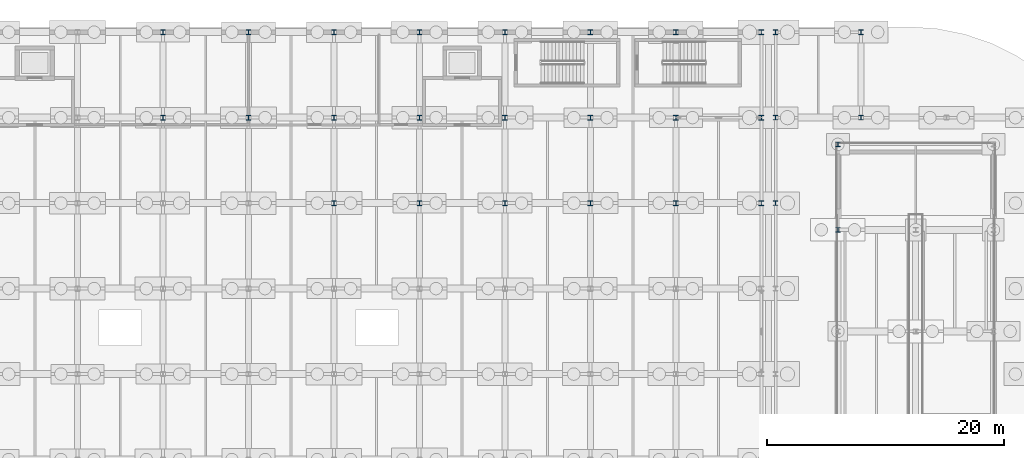
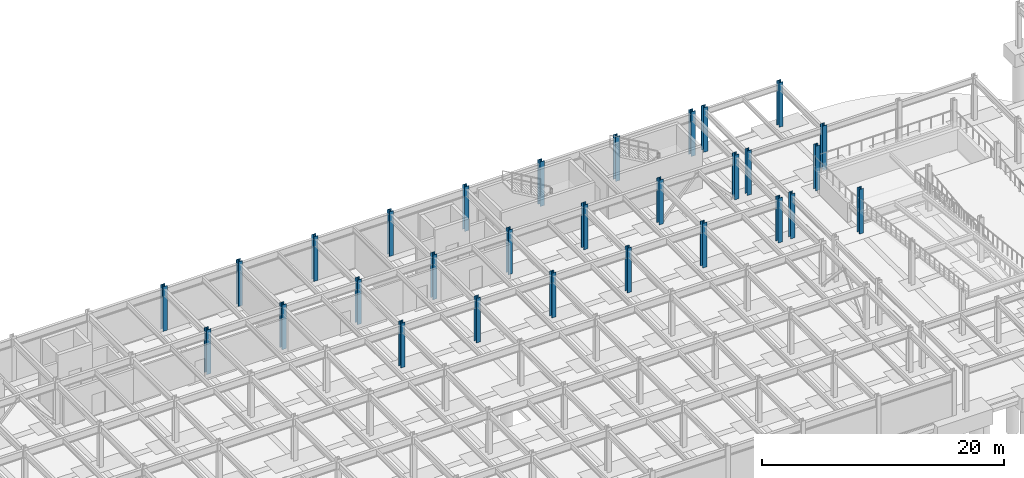
# One storey, part 22 of 54: 29 columns.
"""IFC4 building model written with IfcOpenShell, lengths in metres."""

from ifc_helpers import new_model, si_unit, direction, frame, origin, origin_2d, place, context, subcontext, project, spatial, i_section, extrude, material, material_profile, profile_set, type_object, element, save


model = new_model("IFC4")

# Units and contexts
model_context = context("Model", 3, precision=1e-05, world=origin(), true_north=direction((0.0, 1.0)))
body_context = subcontext(model_context, "Body", "Model", "MODEL_VIEW")
ifc_project = project(units=[si_unit("LENGTHUNIT", "METRE"), si_unit("AREAUNIT", "SQUARE_METRE"), si_unit("VOLUMEUNIT", "CUBIC_METRE"), si_unit("PLANEANGLEUNIT", "RADIAN"), si_unit("MASSUNIT", "GRAM", prefix="KILO")], contexts=[model_context])

# Site, building, storey
site_placement = place(None, origin())
site = spatial("IfcSite", under=ifc_project, at=site_placement, CompositionType="ELEMENT")
building_placement = place(site_placement, origin())
building = spatial("IfcBuilding", under=site, at=building_placement, Name="Vaelcorin Mobility Hub", CompositionType="ELEMENT")
storey_placement = place(building_placement, frame((0.0, 0.0, -4.5)))
storey = spatial("IfcBuildingStorey", under=building, at=storey_placement, Name="B1", CompositionType="ELEMENT", Elevation=-4.5)

# Columns
ifc_material = material(Name="Steel ASTM A992 Grade 50", Category="steel")
ifc_material_profile_1 = material_profile(ifc_material, i_section(OverallWidth=0.39599609375, OverallDepth=0.381103515625, WebThickness=0.018798828125, FlangeThickness=0.0302734375, FilletRadius=0.014892578125, at=origin_2d()), Name="W14X159")
ifc_profile_set_1 = profile_set([ifc_material_profile_1], Name="Steel ASTM A992 Grade 50")
column_type_1 = type_object("IfcColumnType", Name="COL-W14X159", PredefinedType="COLUMN", material=ifc_profile_set_1)
for number, where, z_axis, x_axis, name in (
    (1, (128.85009765625, 103.35009765625, 0.0), (0.0, 0.0, 1.0), (1.0, 0.0, 0.0), "Column V2E-RDRM-WN B1"),
    (2, (128.85009765625, 110.550048828125, 0.0), (0.0, 0.0, 1.0), (1.0, 0.0, 0.0), "Column V2E-RDRM-WB B1"),
):
    element("IfcColumn", number, at=place(storey_placement, frame(where, z_axis=z_axis, x_axis=x_axis)), inside=storey, type_object=column_type_1, Name=name, PredefinedType="COLUMN", context=body_context, shape_type="SweptSolid", body=[
        extrude(i_section(OverallWidth=0.39599609375, OverallDepth=0.381103515625, WebThickness=0.018798828125, FlangeThickness=0.0302734375, FilletRadius=0.014892578125, at=origin_2d()), origin(), (0.0, 0.0, 1.0), 4.5),
    ])
ifc_material_profile_2 = material_profile(ifc_material, i_section(OverallWidth=0.39892578125, OverallDepth=0.39404296875, WebThickness=0.022705078125, FlangeThickness=0.03662109375, FilletRadius=0.014892578125, at=origin_2d()), Name="W14X193")
ifc_profile_set_2 = profile_set([ifc_material_profile_2], Name="Steel ASTM A992 Grade 50")
column_type_2 = type_object("IfcColumnType", Name="COL-W14X193", PredefinedType="COLUMN", material=ifc_profile_set_2)
for number, where, z_axis, x_axis, name in (
    (3, (123.60009765625, 105.60009765625, 0.0), (0.0, 0.0, 1.0), (1.0, 0.0, 0.0), "Column V2E-G1x5 B1"),
    (4, (123.60009765625, 112.800048828125, 0.0), (0.0, 0.0, 1.0), (1.0, 0.0, 0.0), "Column V2E-G1x6 B1"),
    (5, (123.60009765625, 120.0, 0.0), (0.0, 0.0, 1.0), (1.0, 0.0, 0.0), "Column V2E-G1x7 B1"),
    (6, (130.800048828125, 112.800048828125, 0.0), (0.0, 0.0, 1.0), (1.0, 0.0, 0.0), "Column V2E-G2x6 B1"),
    (7, (130.800048828125, 120.0, 0.0), (0.0, 0.0, 1.0), (1.0, 0.0, 0.0), "Column V2E-G2x7 B1"),
):
    element("IfcColumn", number, at=place(storey_placement, frame(where, z_axis=z_axis, x_axis=x_axis)), inside=storey, type_object=column_type_2, Name=name, PredefinedType="COLUMN", context=body_context, shape_type="SweptSolid", body=[
        extrude(i_section(OverallWidth=0.39892578125, OverallDepth=0.39404296875, WebThickness=0.022705078125, FlangeThickness=0.03662109375, FilletRadius=0.014892578125, at=origin_2d()), origin(), (0.0, 0.0, 1.0), 4.5),
    ])
ifc_material_profile_3 = material_profile(ifc_material, i_section(OverallWidth=0.404052734375, OverallDepth=0.406005859375, WebThickness=0.027099609375, FlangeThickness=0.043701171875, FilletRadius=0.014892578125, at=origin_2d()), Name="W14X233")
ifc_profile_set_3 = profile_set([ifc_material_profile_3], Name="Steel ASTM A992 Grade 50")
column_type_3 = type_object("IfcColumnType", Name="COL-W14X233", PredefinedType="COLUMN", material=ifc_profile_set_3)
for number, where, z_axis, x_axis, name in (
    (8, (72.0, 120.0, 0.0), (0.0, 0.0, 1.0), (1.0, 0.0, 0.0), "Column V4-X06Y07 B1"),
    (9, (79.199951171875, 120.0, 0.0), (0.0, 0.0, 1.0), (1.0, 0.0, 0.0), "Column V4-X07Y07 B1"),
    (10, (86.39990234375, 105.60009765625, 0.0), (0.0, 0.0, 1.0), (1.0, 0.0, 0.0), "Column V4-X08Y05 B1"),
    (11, (86.39990234375, 120.0, 0.0), (0.0, 0.0, 1.0), (1.0, 0.0, 0.0), "Column V4-X08Y07 B1"),
    (12, (93.60009765625, 105.60009765625, 0.0), (0.0, 0.0, 1.0), (1.0, 0.0, 0.0), "Column V4-X09Y05 B1"),
    (13, (93.60009765625, 120.0, 0.0), (0.0, 0.0, 1.0), (1.0, 0.0, 0.0), "Column V4-X09Y07 B1"),
    (14, (100.800048828125, 105.60009765625, 0.0), (0.0, 0.0, 1.0), (1.0, 0.0, 0.0), "Column V4-X10Y05 B1"),
    (15, (100.800048828125, 120.0, 0.0), (0.0, 0.0, 1.0), (1.0, 0.0, 0.0), "Column V4-X10Y07 B1"),
    (16, (108.0, 105.60009765625, 0.0), (0.0, 0.0, 1.0), (1.0, 0.0, 0.0), "Column V4-X11Y05 B1"),
    (17, (108.0, 120.0, 0.0), (0.0, 0.0, 1.0), (1.0, 0.0, 0.0), "Column V4-X11Y07 B1"),
    (18, (115.199951171875, 105.60009765625, 0.0), (0.0, 0.0, 1.0), (1.0, 0.0, 0.0), "Column V4-X12Y05 B1"),
    (19, (115.199951171875, 120.0, 0.0), (0.0, 0.0, 1.0), (1.0, 0.0, 0.0), "Column V4-X12Y07 B1"),
    (20, (122.39990234375, 105.60009765625, 0.0), (0.0, 0.0, 1.0), (1.0, 0.0, 0.0), "Column V4-X13Y05 B1"),
    (21, (122.39990234375, 120.0, 0.0), (0.0, 0.0, 1.0), (1.0, 0.0, 0.0), "Column V4-X13Y07 B1"),
):
    element("IfcColumn", number, at=place(storey_placement, frame(where, z_axis=z_axis, x_axis=x_axis)), inside=storey, type_object=column_type_3, Name=name, PredefinedType="COLUMN", context=body_context, shape_type="SweptSolid", body=[
        extrude(i_section(OverallWidth=0.404052734375, OverallDepth=0.406005859375, WebThickness=0.027099609375, FlangeThickness=0.043701171875, FilletRadius=0.014892578125, at=origin_2d()), origin(), (0.0, 0.0, 1.0), 4.5),
    ])
ifc_material_profile_4 = material_profile(ifc_material, i_section(OverallWidth=0.408935546875, OverallDepth=0.424072265625, WebThickness=0.03271484375, FlangeThickness=0.052490234375, FilletRadius=0.014892578125, at=origin_2d()), Name="W14X283")
ifc_profile_set_4 = profile_set([ifc_material_profile_4], Name="Steel ASTM A992 Grade 50")
column_type_4 = type_object("IfcColumnType", Name="COL-W14X283", PredefinedType="COLUMN", material=ifc_profile_set_4)
for number, where, z_axis, x_axis, name in (
    (22, (72.0, 112.800048828125, 0.0), (0.0, 0.0, 1.0), (1.0, 0.0, 0.0), "Column V4-X06Y06 B1"),
    (23, (79.199951171875, 112.800048828125, 0.0), (0.0, 0.0, 1.0), (1.0, 0.0, 0.0), "Column V4-X07Y06 B1"),
    (24, (86.39990234375, 112.800048828125, 0.0), (0.0, 0.0, 1.0), (1.0, 0.0, 0.0), "Column V4-X08Y06 B1"),
    (25, (93.60009765625, 112.800048828125, 0.0), (0.0, 0.0, 1.0), (1.0, 0.0, 0.0), "Column V4-X09Y06 B1"),
    (26, (100.800048828125, 112.800048828125, 0.0), (0.0, 0.0, 1.0), (1.0, 0.0, 0.0), "Column V4-X10Y06 B1"),
    (27, (108.0, 112.800048828125, 0.0), (0.0, 0.0, 1.0), (1.0, 0.0, 0.0), "Column V4-X11Y06 B1"),
    (28, (115.199951171875, 112.800048828125, 0.0), (0.0, 0.0, 1.0), (1.0, 0.0, 0.0), "Column V4-X12Y06 B1"),
    (29, (122.39990234375, 112.800048828125, 0.0), (0.0, 0.0, 1.0), (1.0, 0.0, 0.0), "Column V4-X13Y06 B1"),
):
    element("IfcColumn", number, at=place(storey_placement, frame(where, z_axis=z_axis, x_axis=x_axis)), inside=storey, type_object=column_type_4, Name=name, PredefinedType="COLUMN", context=body_context, shape_type="SweptSolid", body=[
        extrude(i_section(OverallWidth=0.408935546875, OverallDepth=0.424072265625, WebThickness=0.03271484375, FlangeThickness=0.052490234375, FilletRadius=0.014892578125, at=origin_2d()), origin(), (0.0, 0.0, 1.0), 4.5),
    ])

save(model, "model.ifc")
